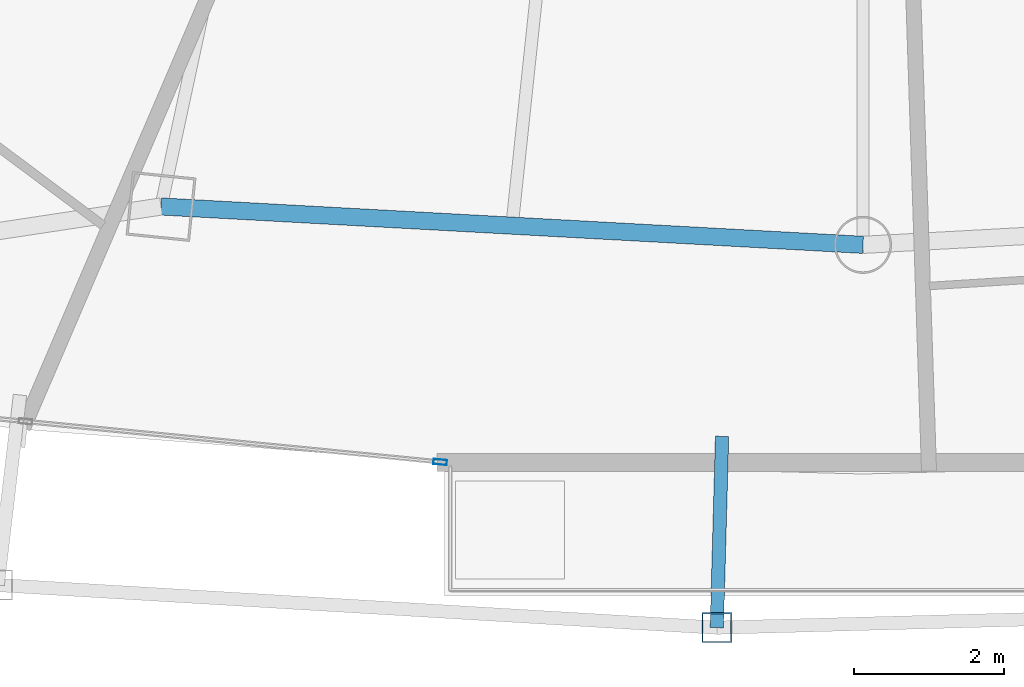
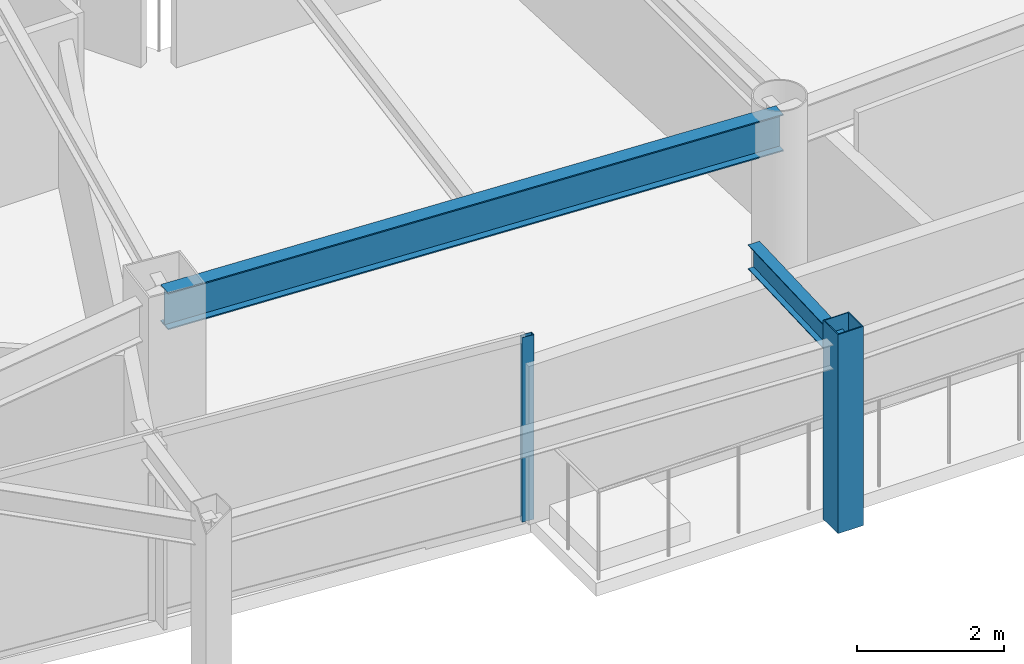
# One storey, part 7 of 29: 2 beams, 2 members, 1 element without a shape of its own.
"""IFC4 building model written with IfcOpenShell, lengths in metres."""

from ifc_helpers import new_model, si_unit, direction, frame, origin, origin_2d, place, context, subcontext, project, spatial, hollow_rectangle, i_section, extrude, material, layer, layer_set, material_profile, profile_set, type_object, element, aggregate, save


model = new_model("IFC4")

# Units and contexts
model_context = context("Model", 3, precision=1e-05, world=origin(), true_north=direction((0.0, 1.0)))
body_context = subcontext(model_context, "Body", "Model", "MODEL_VIEW")
ifc_project = project(units=[si_unit("LENGTHUNIT", "METRE"), si_unit("AREAUNIT", "SQUARE_METRE"), si_unit("VOLUMEUNIT", "CUBIC_METRE"), si_unit("PLANEANGLEUNIT", "RADIAN"), si_unit("MASSUNIT", "GRAM", prefix="KILO")], contexts=[model_context])

# Site, building, storey
site_placement = place(None, origin())
site = spatial("IfcSite", under=ifc_project, at=site_placement, CompositionType="ELEMENT")
building_placement = place(site_placement, origin())
building = spatial("IfcBuilding", under=site, at=building_placement, Name="Orvanel Arch Residences", CompositionType="ELEMENT")
storey_placement = place(building_placement, frame((0.0, 0.0, 173.75)))
storey = spatial("IfcBuildingStorey", under=building, at=storey_placement, Name="L49", CompositionType="ELEMENT", Elevation=173.75)

# Curtain wall, member
ifc_material_1 = material(Name="Bronze-anodised aluminium AA6063-T6", Category="aluminium")
ifc_layer = layer(ifc_material_1, 0.179931640625)
ifc_layer_set = layer_set([ifc_layer], Name="Bronze-anodised aluminium AA6063-T6")
curtain_wall_type = type_object("IfcCurtainWallType", Name="CW3-MID-SYS", PredefinedType="NOTDEFINED", material=ifc_layer_set)
curtain_wall_placement = place(storey_placement, origin())
curtain_wall = element("IfcCurtainWall", 1, at=curtain_wall_placement, inside=storey, type_object=curtain_wall_type, Name="L49 CW3-MID-SYS Unitised Curtain Wall", PredefinedType="NOTDEFINED")
ifc_material_profile_1 = material_profile(ifc_material_1, hollow_rectangle(XDim=0.070068359375, YDim=0.179931640625, WallThickness=0.00439453125, at=origin_2d()), Name="ALU180x70x4.5")
ifc_profile_set_1 = profile_set([ifc_material_profile_1], Name="Bronze-anodised aluminium AA6063-T6")
member_type_1 = type_object("IfcMemberType", Name="MUL-180x70", PredefinedType="MULLION", material=ifc_profile_set_1)
member_1_placement = place(storey_placement, frame((27.3671875, 3.950439453125, 0.0), z_axis=(0.0, 0.0, 1.0), x_axis=(0.097491445455, 0.995236362912, 0.0)))
member_1 = element("IfcMember", 2, at=member_1_placement, type_object=member_type_1, Name="CW-S3 mullion 3", PredefinedType="MULLION", context=body_context, shape_type="SweptSolid", body=[
    extrude(hollow_rectangle(XDim=0.070068359375, YDim=0.179931640625, WallThickness=0.00439453125, at=origin_2d()), origin(), (0.0, 0.0, 1.0), 3.06005859375),
])
aggregate(curtain_wall, [member_1])

# Beams
ifc_material_2 = material(Name="Structural steel AS/NZS 3679.1 Grade 300 (300 MPa)", Category="steel")
ifc_material_profile_2 = material_profile(ifc_material_2, i_section(OverallWidth=0.177978515625, OverallDepth=0.406005859375, WebThickness=0.0078125, FlangeThickness=0.0126953125, at=origin_2d()), Name="410UB59.7")
ifc_profile_set_2 = profile_set([ifc_material_profile_2], Name="Structural steel AS/NZS 3679.1 Grade 300 (300 MPa)")
beam_type_1 = type_object("IfcBeamType", Name="OB-410UB-EXT", PredefinedType="SPANDREL", material=ifc_profile_set_2)
beam_1_placement = place(storey_placement, frame((31.123046875, 4.29296875, 2.85693359375), z_axis=(-0.027477409816, -0.999622424693, 0.0), x_axis=(0.999622424693, -0.027477409816, 0.0)))
element("IfcBeam", 3, at=beam_1_placement, inside=storey, type_object=beam_type_1, Name="L49 Outer Frame Radial Tie Beam 06", PredefinedType="SPANDREL", context=body_context, shape_type="SweptSolid", body=[
    extrude(i_section(OverallWidth=0.177978515625, OverallDepth=0.406005859375, WebThickness=0.0078125, FlangeThickness=0.0126953125, at=origin_2d()), origin(), (0.0, 0.0, 1.0), 2.550048828125),
])
ifc_material_profile_3 = material_profile(ifc_material_2, i_section(OverallWidth=0.22900390625, OverallDepth=0.612060546875, WebThickness=0.011962890625, FlangeThickness=0.01953125, at=origin_2d()), Name="610UB125")
ifc_profile_set_3 = profile_set([ifc_material_profile_3], Name="Structural steel AS/NZS 3679.1 Grade 300 (300 MPa)")
beam_type_2 = type_object("IfcBeamType", Name="SP-610UB", PredefinedType="SPANDREL", material=ifc_profile_set_3)
beam_2_placement = place(storey_placement, frame((23.64892578125, 7.35498046875, 2.75390625), z_axis=(0.998510315598, -0.054563262768, 0.0), x_axis=(0.054563262768, 0.998510315598, 0.0)))
element("IfcBeam", 4, at=beam_2_placement, inside=storey, type_object=beam_type_2, Name="L49 Perimeter Spandrel Beam 05", PredefinedType="SPANDREL", context=body_context, shape_type="SweptSolid", body=[
    extrude(i_section(OverallWidth=0.22900390625, OverallDepth=0.612060546875, WebThickness=0.011962890625, FlangeThickness=0.01953125, at=origin_2d()), origin(), (0.0, 0.0, 1.0), 9.364990234375),
])

# Member
ifc_material_3 = material(Name="Structural steel AS/NZS 1163 C450L0 (Grade 450)", Category="steel")
ifc_material_profile_4 = material_profile(ifc_material_3, hollow_rectangle(XDim=0.39990234375, YDim=0.39990234375, WallThickness=0.01611328125, at=origin_2d()), Name="SHS400x400x16")
ifc_profile_set_4 = profile_set([ifc_material_profile_4], Name="Structural steel AS/NZS 1163 C450L0 (Grade 450)")
member_type_2 = type_object("IfcMemberType", Name="ST-400SHS-EXT", PredefinedType="STRUT", material=ifc_profile_set_4)
member_2_placement = place(storey_placement, frame((31.052978515625, 1.743896484375, 0.0), z_axis=(0.0, 0.0, 1.0), x_axis=(1.0, 0.0, 0.0)))
element("IfcMember", 5, at=member_2_placement, inside=storey, type_object=member_type_2, Name="L49 Outer Perimeter Frame Post 06", PredefinedType="STRUT", context=body_context, shape_type="SweptSolid", body=[
    extrude(hollow_rectangle(XDim=0.39990234375, YDim=0.39990234375, WallThickness=0.01611328125, at=origin_2d()), origin(), (0.0, 0.0, 1.0), 3.300048828125),
])

save(model, "model.ifc")
